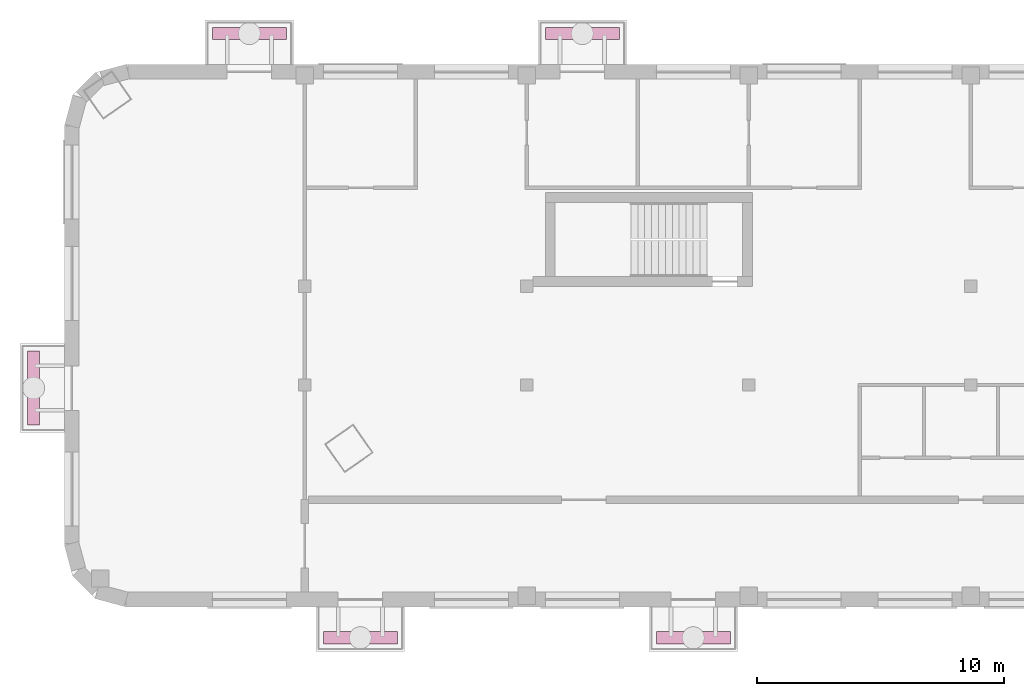
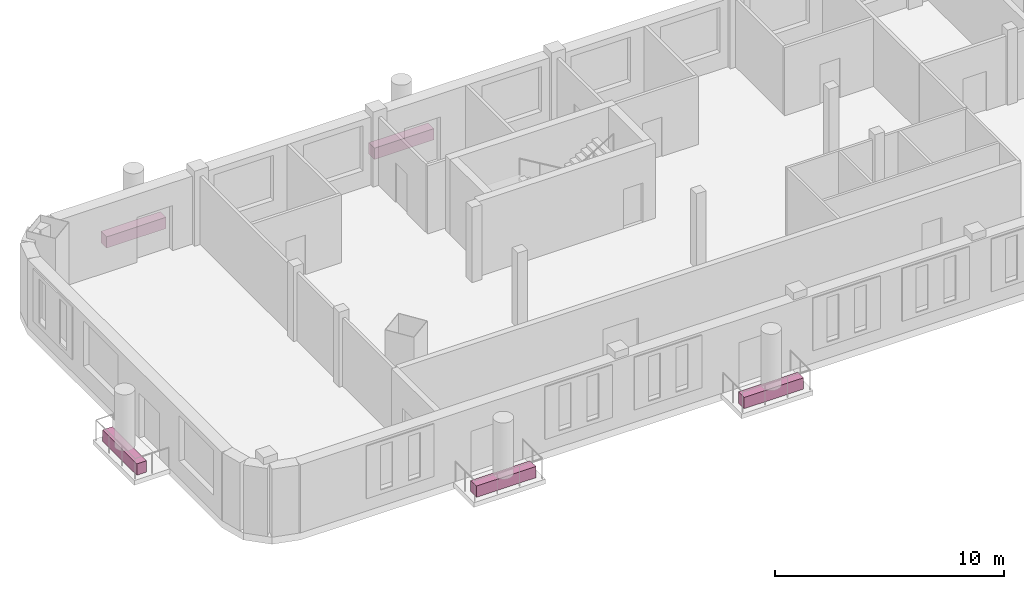
# One storey, part 6 of 7: 5 furniture elements.
"""IFC4 building model written with IfcOpenShell, lengths in metres."""

from ifc_helpers import new_model, si_unit, direction, frame, origin, origin_2d, place, context, subcontext, project, spatial, rectangle, extrude, element, save


model = new_model("IFC4")

# Units and contexts
model_context = context("Model", 3, precision=1e-05, world=origin(), true_north=direction((0.0, 1.0)))
body_context = subcontext(model_context, "Body", "Model", "MODEL_VIEW")
ifc_project = project(units=[si_unit("LENGTHUNIT", "METRE"), si_unit("AREAUNIT", "SQUARE_METRE"), si_unit("VOLUMEUNIT", "CUBIC_METRE"), si_unit("PLANEANGLEUNIT", "RADIAN"), si_unit("MASSUNIT", "GRAM", prefix="KILO")], contexts=[model_context])

# Site, building, storey
site_placement = place(None, origin())
site = spatial("IfcSite", under=ifc_project, at=site_placement, CompositionType="ELEMENT")
building_placement = place(site_placement, origin())
building = spatial("IfcBuilding", under=site, at=building_placement, Name="Skarvind Civic Tower", CompositionType="ELEMENT")
storey_placement = place(building_placement, frame((0.0, 0.0, 265.5)))
storey = spatial("IfcBuildingStorey", under=building, at=storey_placement, Name="L63", CompositionType="ELEMENT", Elevation=265.5)

# Furniture
for number, where, z_axis, x_axis, name in (
    (1, (52.0, 140.25, 0.0), (0.0, 0.0, 1.0), (1.0, 0.0, 0.0), "TREE BALCONY PLANTER"),
    (2, (65.5, 140.25, 0.0), (0.0, 0.0, 1.0), (1.0, 0.0, 0.0), "TREE BALCONY PLANTER"),
    (3, (43.25, 125.875, 0.0), (0.0, 0.0, 1.0), (0.0, 1.0, 0.0), "TREE BALCONY PLANTER"),
    (4, (70.0, 115.75, 0.0), (0.0, 0.0, 1.0), (-1.0, 0.0, 0.0), "TREE BALCONY PLANTER"),
    (5, (56.5, 115.75, 0.0), (0.0, 0.0, 1.0), (-1.0, 0.0, 0.0), "TREE BALCONY PLANTER"),
):
    element("IfcFurniture", number, at=place(storey_placement, frame(where, z_axis=z_axis, x_axis=x_axis)), inside=storey, Name=name, ObjectType="PLANTER", PredefinedType="USERDEFINED", context=body_context, shape_type="SweptSolid", body=[
        extrude(rectangle(XDim=3.0, YDim=0.5, at=origin_2d()), origin(), (0.0, 0.0, 1.0), 0.60009765625),
    ])

save(model, "model.ifc")
